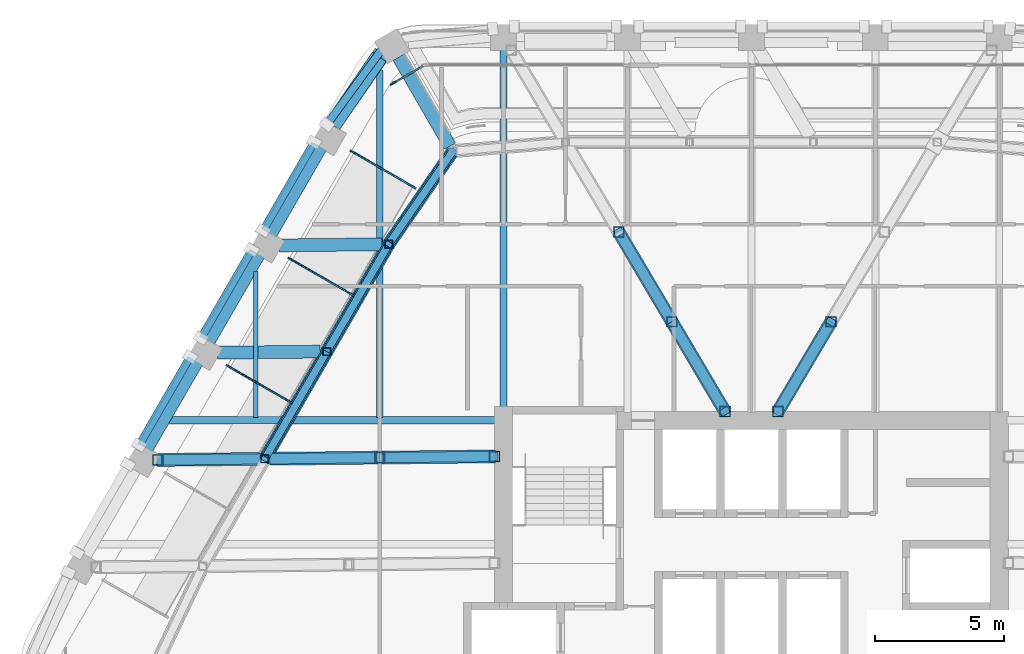
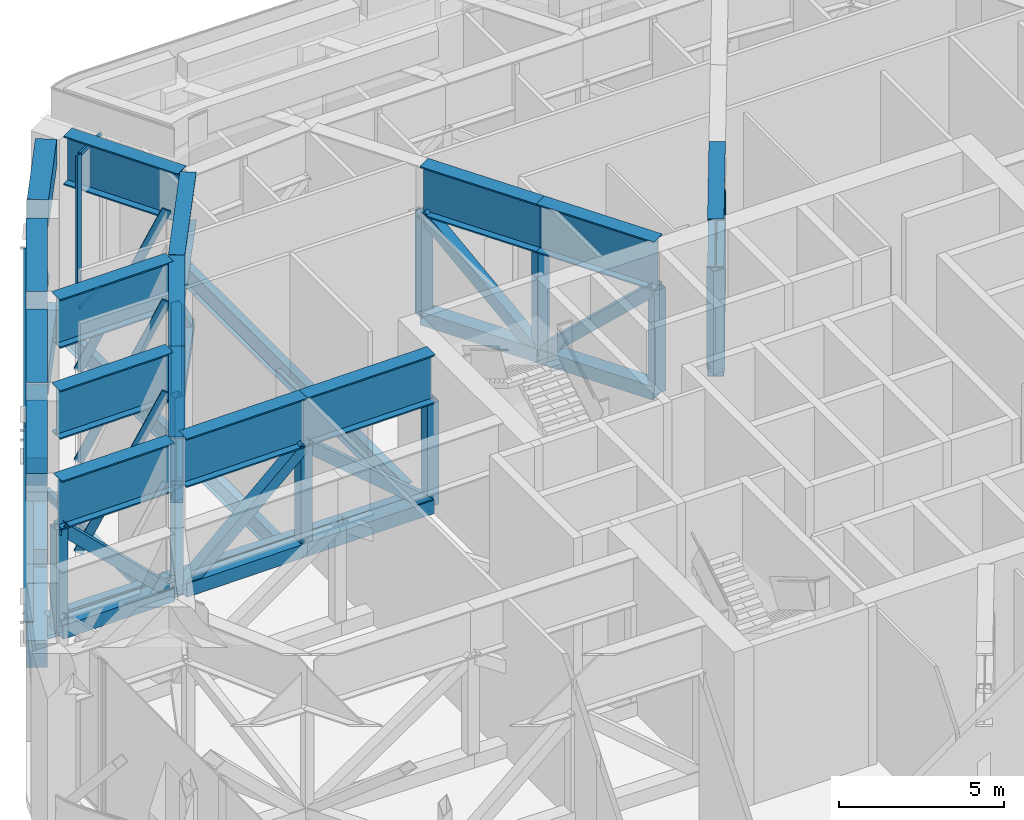
# One storey, part 8 of 24: 39 members, 24 beams, 2 elements without a shape of their own.
"""IFC4 building model written with IfcOpenShell, lengths in metres."""

from ifc_helpers import new_model, si_unit, direction, frame, origin, origin_2d, place, context, subcontext, project, spatial, rectangle, hollow_rectangle, i_section, extrude, material, material_profile, profile_set, type_object, element, aggregate, save


model = new_model("IFC4")

# Units and contexts
model_context = context("Model", 3, precision=1e-05, world=origin(), true_north=direction((0.0, 1.0)))
body_context = subcontext(model_context, "Body", "Model", "MODEL_VIEW")
ifc_project = project(units=[si_unit("LENGTHUNIT", "METRE"), si_unit("AREAUNIT", "SQUARE_METRE"), si_unit("VOLUMEUNIT", "CUBIC_METRE"), si_unit("PLANEANGLEUNIT", "RADIAN"), si_unit("MASSUNIT", "GRAM", prefix="KILO")], contexts=[model_context])

# Site, building, storey
site_placement = place(None, origin())
site = spatial("IfcSite", under=ifc_project, at=site_placement, CompositionType="ELEMENT")
building_placement = place(site_placement, origin())
building = spatial("IfcBuilding", under=site, at=building_placement, Name="Kolab Exchange Tower", CompositionType="ELEMENT")
storey_placement = place(building_placement, frame((0.0, 0.0, 216.800048828125)))
storey = spatial("IfcBuildingStorey", under=building, at=storey_placement, Name="L47", CompositionType="ELEMENT", Elevation=216.800048828125)

# Members
ifc_material_1 = material(Name="Steel S355", Category="steel")
ifc_material_profile_1 = material_profile(ifc_material_1, hollow_rectangle(XDim=0.300048828125, YDim=0.300048828125, WallThickness=0.01611328125, at=origin_2d()), Name="HSS300X300X16")
ifc_profile_set_1 = profile_set([ifc_material_profile_1], Name="Steel S355")
member_type_1 = type_object("IfcMemberType", Name="BELT TRUSS BRACE HSS300X300X16", PredefinedType="BRACE", material=ifc_profile_set_1)
for number, where, z_axis, x_axis, name in (
    (1, (-18.853515625, 8.11376953125, 4.050048828125), (0.392004841722, 0.679009810783, -0.620707564741), (-0.866037363387, 0.499979284789, 0.0), "mem/L47/ring/d-F6-03"),
    (2, (-16.45361328125, 12.270751953125, 0.25), (0.392004841722, 0.679009810783, 0.620707564741), (-0.866037363387, 0.499979284789, 0.0), "mem/L47/ring/d-F6-04"),
):
    element("IfcMember", number, at=place(storey_placement, frame(where, z_axis=z_axis, x_axis=x_axis)), inside=storey, type_object=member_type_1, Name=name, PredefinedType="BRACE", context=body_context, shape_type="SweptSolid", body=[
        extrude(hollow_rectangle(XDim=0.300048828125, YDim=0.300048828125, WallThickness=0.01611328125, at=origin_2d()), origin(), (0.0, 0.0, 1.0), 6.1220703125),
    ])
member_1_placement = place(storey_placement, frame((-14.0537109375, 16.427734375, 4.050048828125), z_axis=(0.428579877359, 0.622160593915, -0.655160655185), x_axis=(-0.823519747608, 0.56728760369, 0.0)))
element("IfcMember", 3, at=member_1_placement, inside=storey, type_object=member_type_1, Name="mem/L47/ring/d-F6-05", PredefinedType="BRACE", context=body_context, shape_type="SweptSolid", body=[
    extrude(hollow_rectangle(XDim=0.300048828125, YDim=0.300048828125, WallThickness=0.01611328125, at=origin_2d()), origin(), (0.0, 0.0, 1.0), 5.80029296875),
])
for number, where, z_axis, x_axis, name in (
    (4, (-23.71728515625, 8.650634765625, 0.39990234375), (0.337507590619, 0.584574708587, 0.737808265306), (-0.866023334807, 0.500003583557, 0.0), "mem/L47/fb/F6-03"),
    (5, (-21.3173828125, 12.8076171875, 4.699951171875), (0.337507590619, 0.584574708587, -0.737808265306), (-0.866023334807, 0.500003583557, 0.0), "mem/L47/fb/F6-04"),
    (6, (-18.917236328125, 16.96435546875, 0.39990234375), (0.337507590619, 0.584574708587, 0.737808265306), (-0.866023334807, 0.500003583557, 0.0), "mem/L47/fb/F6-05"),
):
    element("IfcMember", number, at=place(storey_placement, frame(where, z_axis=z_axis, x_axis=x_axis)), inside=storey, type_object=member_type_1, Name=name, PredefinedType="BRACE", context=body_context, shape_type="SweptSolid", body=[
        extrude(hollow_rectangle(XDim=0.300048828125, YDim=0.300048828125, WallThickness=0.01611328125, at=origin_2d()), origin(), (0.0, 0.0, 1.0), 5.828125),
    ])
member_2_placement = place(storey_placement, frame((-16.4404296875, 21.07763671875, 4.699951171875), z_axis=(0.377585306964, 0.515270277759, -0.769367192453), x_axis=(-0.806613643798, 0.591079038402, 0.0)))
element("IfcMember", 7, at=member_2_placement, inside=storey, type_object=member_type_1, Name="mem/L47/fb/F6-06", PredefinedType="BRACE", context=body_context, shape_type="SweptSolid", body=[
    extrude(hollow_rectangle(XDim=0.300048828125, YDim=0.300048828125, WallThickness=0.01611328125, at=origin_2d()), origin(), (0.0, 0.0, 1.0), 5.589111328125),
])
ifc_material_profile_2 = material_profile(ifc_material_1, hollow_rectangle(XDim=0.39990234375, YDim=0.39990234375, WallThickness=0.02001953125, at=origin_2d()), Name="HSS400X400X20")
ifc_profile_set_2 = profile_set([ifc_material_profile_2], Name="Steel S355")
member_type_2 = type_object("IfcMemberType", Name="BELT TRUSS CHORD HSS400X400X20", PredefinedType="CHORD", material=ifc_profile_set_2)
for number, where, z_axis, x_axis, name in (
    (8, (-18.853515625, 8.11376953125, 0.25), (0.499979284789, 0.866037363387, 0.0), (-0.866037363387, 0.499979284789, 0.0), "mem/L47/ring/c-F6-03"),
    (9, (-16.45361328125, 12.270751953125, 0.25), (0.499979284789, 0.866037363387, 0.0), (-0.866037363387, 0.499979284789, 0.0), "mem/L47/ring/c-F6-04"),
):
    element("IfcMember", number, at=place(storey_placement, frame(where, z_axis=z_axis, x_axis=x_axis)), inside=storey, type_object=member_type_2, Name=name, PredefinedType="CHORD", context=body_context, shape_type="SweptSolid", body=[
        extrude(hollow_rectangle(XDim=0.39990234375, YDim=0.39990234375, WallThickness=0.02001953125, at=origin_2d()), origin(), (0.0, 0.0, 1.0), 4.800048828125),
    ])
member_3_placement = place(storey_placement, frame((-14.0537109375, 16.427734375, 0.25), z_axis=(0.56728760369, 0.823519747608, 0.0), x_axis=(-0.823519747608, 0.56728760369, 0.0)))
element("IfcMember", 10, at=member_3_placement, inside=storey, type_object=member_type_2, Name="mem/L47/ring/c-F6-05", PredefinedType="CHORD", context=body_context, shape_type="SweptSolid", body=[
    extrude(hollow_rectangle(XDim=0.39990234375, YDim=0.39990234375, WallThickness=0.02001953125, at=origin_2d()), origin(), (0.0, 0.0, 1.0), 4.382080078125),
])

# Beams
ifc_material_profile_3 = material_profile(ifc_material_1, i_section(OverallWidth=0.5, OverallDepth=1.800048828125, WebThickness=0.031982421875, FlangeThickness=0.050048828125, at=origin_2d()), Name="PG1800X500")
ifc_profile_set_3 = profile_set([ifc_material_profile_3], Name="Steel S355")
beam_type_1 = type_object("IfcBeamType", Name="BELT TRUSS GIRDER PG1800X500", PredefinedType="BEAM", material=ifc_profile_set_3)
for number, where, z_axis, x_axis, name in (
    (11, (-18.853515625, 8.11376953125, 4.949951171875), (0.499979284789, 0.866037363387, 0.0), (-0.866037363387, 0.499979284789, 0.0), "beam/L47/bg/F6-run1"),
    (12, (-16.45361328125, 12.270751953125, 4.949951171875), (0.499979284789, 0.866037363387, 0.0), (-0.866037363387, 0.499979284789, 0.0), "beam/L47/bg/F6-run2"),
):
    element("IfcBeam", number, at=place(storey_placement, frame(where, z_axis=z_axis, x_axis=x_axis)), inside=storey, type_object=beam_type_1, Name=name, PredefinedType="BEAM", context=body_context, shape_type="SweptSolid", body=[
        extrude(i_section(OverallWidth=0.5, OverallDepth=1.800048828125, WebThickness=0.031982421875, FlangeThickness=0.050048828125, at=origin_2d()), origin(), (0.0, 0.0, 1.0), 4.800048828125),
    ])
beam_1_placement = place(storey_placement, frame((-14.0537109375, 16.427734375, 4.949951171875), z_axis=(0.56728760369, 0.823519747608, 0.0), x_axis=(-0.823519747608, 0.56728760369, 0.0)))
element("IfcBeam", 13, at=beam_1_placement, inside=storey, type_object=beam_type_1, Name="beam/L47/bg/F6-out", PredefinedType="BEAM", context=body_context, shape_type="SweptSolid", body=[
    extrude(i_section(OverallWidth=0.5, OverallDepth=1.800048828125, WebThickness=0.031982421875, FlangeThickness=0.050048828125, at=origin_2d()), origin(), (0.0, 0.0, 1.0), 4.382080078125),
])

# Members
ifc_material_profile_4 = material_profile(ifc_material_1, hollow_rectangle(XDim=0.300048828125, YDim=0.300048828125, WallThickness=0.01611328125, at=origin_2d()), Name="HSS300X300X16")
ifc_profile_set_4 = profile_set([ifc_material_profile_4], Name="Steel S355")
member_type_3 = type_object("IfcMemberType", Name="BELT TRUSS POST HSS300X300X16", PredefinedType="POST", material=ifc_profile_set_4)
for number, where, z_axis, x_axis, name in (
    (14, (-18.853515625, 8.11376953125, 0.25), (0.0, 0.0, 1.0), (1.0, 0.0, 0.0), "mem/L47/ring/p-F6-03"),
    (15, (-16.45361328125, 12.270751953125, 0.25), (0.0, 0.0, 1.0), (1.0, 0.0, 0.0), "mem/L47/ring/p-F6-04"),
    (16, (-14.0537109375, 16.427734375, 0.25), (0.0, 0.0, 1.0), (1.0, 0.0, 0.0), "mem/L47/ring/p-F6-05"),
):
    element("IfcMember", number, at=place(storey_placement, frame(where, z_axis=z_axis, x_axis=x_axis)), inside=storey, type_object=member_type_3, Name=name, PredefinedType="POST", context=body_context, shape_type="SweptSolid", body=[
        extrude(hollow_rectangle(XDim=0.300048828125, YDim=0.300048828125, WallThickness=0.01611328125, at=origin_2d()), origin(), (0.0, 0.0, 1.0), 3.800048828125),
    ])

# Curtain wall, members
ifc_material_2 = material(Name="Aluminium EN AW-6063 T6", Category="aluminium")
curtain_wall_type_1 = type_object("IfcCurtainWallType", Name="CANTED BAND CURTAIN WALL", PredefinedType="NOTDEFINED", material=ifc_material_2)
curtain_wall_1_placement = place(storey_placement, origin())
curtain_wall_1 = element("IfcCurtainWall", 17, at=curtain_wall_1_placement, inside=storey, type_object=curtain_wall_type_1, Name="band/L47/F6", PredefinedType="NOTDEFINED")
ifc_material_profile_5 = material_profile(ifc_material_2, rectangle(XDim=0.06005859375, YDim=0.300048828125, at=origin_2d()), Name="RECT 60X300")
ifc_profile_set_5 = profile_set([ifc_material_profile_5], Name="Aluminium EN AW-6063 T6")
member_type_4 = type_object("IfcMemberType", Name="CANTED BAND MULLION 60 X 300", PredefinedType="MULLION", material=ifc_profile_set_5)
member_4_placement = place(storey_placement, frame((-20.231689453125, 11.6806640625, -0.10009765625), z_axis=(0.355833859075, -0.205421357987, 0.911693111973), x_axis=(0.499964557259, 0.866045865693, 0.0)))
member_4 = element("IfcMember", 18, at=member_4_placement, type_object=member_type_4, Name="Band mullion", PredefinedType="MULLION", context=body_context, shape_type="SweptSolid", body=[
    extrude(rectangle(XDim=0.06005859375, YDim=0.300048828125, at=origin_2d()), origin(), (0.0, 0.0, 1.0), 6.515380859375),
])
member_5_placement = place(storey_placement, frame((-17.831787109375, 15.837646484375, -0.10009765625), z_axis=(0.355833859075, -0.205421357987, 0.911693111973), x_axis=(0.499964557259, 0.866045865693, 0.0)))
member_5 = element("IfcMember", 19, at=member_5_placement, type_object=member_type_4, Name="Band mullion", PredefinedType="MULLION", context=body_context, shape_type="SweptSolid", body=[
    extrude(rectangle(XDim=0.06005859375, YDim=0.300048828125, at=origin_2d()), origin(), (0.0, 0.0, 1.0), 6.515380859375),
])
member_6_placement = place(storey_placement, frame((-15.431640625, 19.99462890625, -0.10009765625), z_axis=(0.355833859075, -0.205421357987, 0.911693111973), x_axis=(0.499964557259, 0.866045865693, 0.0)))
member_6 = element("IfcMember", 20, at=member_6_placement, type_object=member_type_4, Name="Band mullion", PredefinedType="MULLION", context=body_context, shape_type="SweptSolid", body=[
    extrude(rectangle(XDim=0.06005859375, YDim=0.300048828125, at=origin_2d()), origin(), (0.0, 0.0, 1.0), 6.515380859375),
])
aggregate(curtain_wall_1, [member_4, member_5, member_6])

# Beams
ifc_material_profile_6 = material_profile(ifc_material_1, i_section(OverallWidth=0.1650390625, OverallDepth=0.31005859375, WebThickness=0.005859375, FlangeThickness=0.009765625, at=origin_2d()), Name="W310X39")
ifc_profile_set_6 = profile_set([ifc_material_profile_6], Name="Steel S355")
beam_type_2 = type_object("IfcBeamType", Name="FLOOR BEAM W310X39", PredefinedType="BEAM", material=ifc_profile_set_6)
beam_2_placement = place(storey_placement, frame((-19.199951171875, 9.7060546875, -0.455078125), z_axis=(0.0, 1.0, 0.0), x_axis=(-1.0, 0.0, 0.0)))
element("IfcBeam", 21, at=beam_2_placement, inside=storey, type_object=beam_type_2, Name="beam/L47/fr/004", PredefinedType="BEAM", context=body_context, shape_type="SweptSolid", body=[
    extrude(i_section(OverallWidth=0.1650390625, OverallDepth=0.31005859375, WebThickness=0.005859375, FlangeThickness=0.009765625, at=origin_2d()), origin(), (0.0, 0.0, 1.0), 5.66162109375),
])
ifc_material_profile_7 = material_profile(ifc_material_1, i_section(OverallWidth=0.25390625, OverallDepth=0.68408203125, WebThickness=0.012451171875, FlangeThickness=0.018798828125, at=origin_2d()), Name="W690X140")
ifc_profile_set_7 = profile_set([ifc_material_profile_7], Name="Steel S355")
beam_type_3 = type_object("IfcBeamType", Name="FLOOR BEAM W690X140", PredefinedType="BEAM", material=ifc_profile_set_7)
beam_3_placement = place(storey_placement, frame((-14.39990234375, 9.7060546875, -0.64208984375), z_axis=(0.0, 1.0, 0.0), x_axis=(-1.0, 0.0, 0.0)))
element("IfcBeam", 22, at=beam_3_placement, inside=storey, type_object=beam_type_3, Name="beam/L47/fr/006", PredefinedType="BEAM", context=body_context, shape_type="SweptSolid", body=[
    extrude(i_section(OverallWidth=0.25390625, OverallDepth=0.68408203125, WebThickness=0.012451171875, FlangeThickness=0.018798828125, at=origin_2d()), origin(), (0.0, 0.0, 1.0), 13.44970703125),
])
ifc_material_profile_8 = material_profile(ifc_material_1, i_section(OverallWidth=0.26708984375, OverallDepth=0.761962890625, WebThickness=0.014404296875, FlangeThickness=0.021484375, at=origin_2d()), Name="W760X173")
ifc_profile_set_8 = profile_set([ifc_material_profile_8], Name="Steel S355")
beam_type_4 = type_object("IfcBeamType", Name="FLOOR BEAM W760X173", PredefinedType="BEAM", material=ifc_profile_set_8)
beam_4_placement = place(storey_placement, frame((-9.60009765625, 10.110107421875, -0.68115234375), z_axis=(0.0, 1.0, 0.0), x_axis=(-1.0, 0.0, 0.0)))
element("IfcBeam", 23, at=beam_4_placement, inside=storey, type_object=beam_type_4, Name="beam/L47/fr/008", PredefinedType="BEAM", context=body_context, shape_type="SweptSolid", body=[
    extrude(i_section(OverallWidth=0.26708984375, OverallDepth=0.761962890625, WebThickness=0.014404296875, FlangeThickness=0.021484375, at=origin_2d()), origin(), (0.0, 0.0, 1.0), 13.871337890625),
])
ifc_material_profile_9 = material_profile(ifc_material_1, i_section(OverallWidth=0.2919921875, OverallDepth=0.840087890625, WebThickness=0.0146484375, FlangeThickness=0.021728515625, at=origin_2d()), Name="W840X193")
ifc_profile_set_9 = profile_set([ifc_material_profile_9], Name="Steel S355")
beam_type_5 = type_object("IfcBeamType", Name="FLOOR GIRDER W840X193", PredefinedType="BEAM", material=ifc_profile_set_9)
beam_5_placement = place(storey_placement, frame((-22.546875, 9.60009765625, -0.719970703125), z_axis=(1.0, 0.0, 0.0), x_axis=(0.0, 1.0, 0.0)))
element("IfcBeam", 24, at=beam_5_placement, inside=storey, type_object=beam_type_5, Name="beam/L47/gd/001", PredefinedType="BEAM", context=body_context, shape_type="SweptSolid", body=[
    extrude(i_section(OverallWidth=0.2919921875, OverallDepth=0.840087890625, WebThickness=0.0146484375, FlangeThickness=0.021728515625, at=origin_2d()), origin(), (0.0, 0.0, 1.0), 12.636962890625),
])

# Members
ifc_material_profile_10 = material_profile(ifc_material_1, hollow_rectangle(XDim=0.39990234375, YDim=0.39990234375, WallThickness=0.02001953125, at=origin_2d()), Name="HSS400X400X20")
ifc_profile_set_10 = profile_set([ifc_material_profile_10], Name="Steel S355")
member_type_5 = type_object("IfcMemberType", Name="OUTRIGGER BRACE HSS400X400X20", PredefinedType="BRACE", material=ifc_profile_set_10)
for number, where, z_axis, x_axis, name in (
    (25, (-1.027099609375, 9.949951171875, 4.050048828125), (-0.370922315511, 0.627020672649, -0.685026796503), (-0.860679878671, -0.509146488204, 0.0), "mem/L47/out/00/d00"),
    (26, (-3.084716796875, 13.42822265625, 0.25), (-0.370922315511, 0.627020672649, 0.685026796503), (-0.860679878671, -0.509146488204, 0.0), "mem/L47/out/00/d01"),
    (27, (1.027099609375, 9.949951171875, 0.25), (0.370922315511, 0.627020672649, 0.685026796503), (-0.860679878671, 0.509146488204, 0.0), "mem/L47/out/01/d00"),
):
    element("IfcMember", number, at=place(storey_placement, frame(where, z_axis=z_axis, x_axis=x_axis)), inside=storey, type_object=member_type_5, Name=name, PredefinedType="BRACE", context=body_context, shape_type="SweptSolid", body=[
        extrude(hollow_rectangle(XDim=0.39990234375, YDim=0.39990234375, WallThickness=0.02001953125, at=origin_2d()), origin(), (0.0, 0.0, 1.0), 5.54736328125),
    ])
member_7_placement = place(storey_placement, frame((-9.949951171875, 8.208251953125, 0.25), z_axis=(-0.760569999289, -0.008049904572, 0.64920603449), x_axis=(0.010583448905, -0.999943993736, 0.0)))
element("IfcMember", 28, at=member_7_placement, inside=storey, type_object=member_type_5, Name="mem/L47/out/11/d00", PredefinedType="BRACE", context=body_context, shape_type="SweptSolid", body=[
    extrude(hollow_rectangle(XDim=0.39990234375, YDim=0.39990234375, WallThickness=0.02001953125, at=origin_2d()), origin(), (0.0, 0.0, 1.0), 5.853271484375),
])
member_8_placement = place(storey_placement, frame((-14.40185546875, 8.1611328125, 4.050048828125), z_axis=(-0.744795297784, -0.007887782594, -0.667246391736), x_axis=(0.01058994372, -0.999943924974, 0.0)))
element("IfcMember", 29, at=member_8_placement, inside=storey, type_object=member_type_5, Name="mem/L47/out/11/d01", PredefinedType="BRACE", context=body_context, shape_type="SweptSolid", body=[
    extrude(hollow_rectangle(XDim=0.39990234375, YDim=0.39990234375, WallThickness=0.02001953125, at=origin_2d()), origin(), (0.0, 0.0, 1.0), 5.695068359375),
])
member_9_placement = place(storey_placement, frame((-19.063720703125, 8.111572265625, 0.25), z_axis=(-0.718195745705, -0.007599481935, 0.695799625414), x_axis=(0.010580759602, -0.999944022196, 0.0)))
element("IfcMember", 30, at=member_9_placement, inside=storey, type_object=member_type_5, Name="mem/L47/out/11/d02", PredefinedType="BRACE", context=body_context, shape_type="SweptSolid", body=[
    extrude(hollow_rectangle(XDim=0.39990234375, YDim=0.39990234375, WallThickness=0.02001953125, at=origin_2d()), origin(), (0.0, 0.0, 1.0), 5.46142578125),
])
ifc_material_profile_11 = material_profile(ifc_material_1, hollow_rectangle(XDim=0.5, YDim=0.5, WallThickness=0.02490234375, at=origin_2d()), Name="HSS500X500X25")
ifc_profile_set_11 = profile_set([ifc_material_profile_11], Name="Steel S355")
member_type_6 = type_object("IfcMemberType", Name="OUTRIGGER CHORD HSS500X500X25", PredefinedType="CHORD", material=ifc_profile_set_11)
for number, where, z_axis, x_axis, name in (
    (31, (-1.027099609375, 9.949951171875, 0.25), (-0.509146488204, 0.860679878671, 0.0), (-0.860679878671, -0.509146488204, 0.0), "mem/L47/out/00/c00"),
    (32, (-3.084716796875, 13.42822265625, 0.25), (-0.509146488204, 0.860679878671, 0.0), (-0.860679878671, -0.509146488204, 0.0), "mem/L47/out/00/c01"),
    (33, (1.027099609375, 9.949951171875, 0.25), (0.509146488204, 0.860679878671, 0.0), (-0.860679878671, 0.509146488204, 0.0), "mem/L47/out/01/c00"),
):
    element("IfcMember", number, at=place(storey_placement, frame(where, z_axis=z_axis, x_axis=x_axis)), inside=storey, type_object=member_type_6, Name=name, PredefinedType="CHORD", context=body_context, shape_type="SweptSolid", body=[
        extrude(hollow_rectangle(XDim=0.5, YDim=0.5, WallThickness=0.02490234375, at=origin_2d()), origin(), (0.0, 0.0, 1.0), 4.041259765625),
    ])
member_10_placement = place(storey_placement, frame((-9.949951171875, 8.208251953125, 0.25), z_axis=(-0.999943993736, -0.010583448905, 0.0), x_axis=(0.010583448905, -0.999943993736, 0.0)))
element("IfcMember", 34, at=member_10_placement, inside=storey, type_object=member_type_6, Name="mem/L47/out/11/c00", PredefinedType="CHORD", context=body_context, shape_type="SweptSolid", body=[
    extrude(hollow_rectangle(XDim=0.5, YDim=0.5, WallThickness=0.02490234375, at=origin_2d()), origin(), (0.0, 0.0, 1.0), 4.4521484375),
])
member_11_placement = place(storey_placement, frame((-14.40185546875, 8.1611328125, 0.25), z_axis=(-0.999943924974, -0.01058994372, 0.0), x_axis=(0.01058994372, -0.999943924974, 0.0)))
element("IfcMember", 35, at=member_11_placement, inside=storey, type_object=member_type_6, Name="mem/L47/out/11/c01", PredefinedType="CHORD", context=body_context, shape_type="SweptSolid", body=[
    extrude(hollow_rectangle(XDim=0.5, YDim=0.5, WallThickness=0.02490234375, at=origin_2d()), origin(), (0.0, 0.0, 1.0), 4.241943359375),
])
member_12_placement = place(storey_placement, frame((-19.063720703125, 8.111572265625, 0.25), z_axis=(-0.999944022196, -0.010580759602, 0.0), x_axis=(0.010580759602, -0.999944022196, 0.0)))
element("IfcMember", 36, at=member_12_placement, inside=storey, type_object=member_type_6, Name="mem/L47/out/11/c02", PredefinedType="CHORD", context=body_context, shape_type="SweptSolid", body=[
    extrude(hollow_rectangle(XDim=0.5, YDim=0.5, WallThickness=0.02490234375, at=origin_2d()), origin(), (0.0, 0.0, 1.0), 3.922607421875),
])

# Beams
ifc_material_profile_12 = material_profile(ifc_material_1, i_section(OverallWidth=0.5, OverallDepth=1.800048828125, WebThickness=0.031982421875, FlangeThickness=0.050048828125, at=origin_2d()), Name="PG1800X500")
ifc_profile_set_12 = profile_set([ifc_material_profile_12], Name="Steel S355")
beam_type_6 = type_object("IfcBeamType", Name="OUTRIGGER GIRDER PG1800X500", PredefinedType="BEAM", material=ifc_profile_set_12)
beam_6_placement = place(storey_placement, frame((-1.006591796875, 9.91552734375, 4.949951171875), z_axis=(-0.509172613949, 0.860664423108, 0.0), x_axis=(-0.860664423108, -0.509172613949, 0.0)))
element("IfcBeam", 37, at=beam_6_placement, inside=storey, type_object=beam_type_6, Name="beam/L47/og/00-00", PredefinedType="BEAM", context=body_context, shape_type="SweptSolid", body=[
    extrude(i_section(OverallWidth=0.5, OverallDepth=1.800048828125, WebThickness=0.031982421875, FlangeThickness=0.050048828125, at=origin_2d()), origin(), (0.0, 0.0, 1.0), 4.081298828125),
])
beam_7_placement = place(storey_placement, frame((-3.084716796875, 13.42822265625, 4.949951171875), z_axis=(-0.509146488204, 0.860679878671, 0.0), x_axis=(-0.860679878671, -0.509146488204, 0.0)))
element("IfcBeam", 38, at=beam_7_placement, inside=storey, type_object=beam_type_6, Name="beam/L47/og/00-01", PredefinedType="BEAM", context=body_context, shape_type="SweptSolid", body=[
    extrude(i_section(OverallWidth=0.5, OverallDepth=1.800048828125, WebThickness=0.031982421875, FlangeThickness=0.050048828125, at=origin_2d()), origin(), (0.0, 0.0, 1.0), 4.041259765625),
])
beam_8_placement = place(storey_placement, frame((1.006591796875, 9.91552734375, 4.949951171875), z_axis=(0.509172613949, 0.860664423108, 0.0), x_axis=(-0.860664423108, 0.509172613949, 0.0)))
element("IfcBeam", 39, at=beam_8_placement, inside=storey, type_object=beam_type_6, Name="beam/L47/og/01-00", PredefinedType="BEAM", context=body_context, shape_type="SweptSolid", body=[
    extrude(i_section(OverallWidth=0.5, OverallDepth=1.800048828125, WebThickness=0.031982421875, FlangeThickness=0.050048828125, at=origin_2d()), origin(), (0.0, 0.0, 1.0), 4.081298828125),
])
beam_9_placement = place(storey_placement, frame((-9.909912109375, 8.208740234375, 4.949951171875), z_axis=(-0.999943841668, -0.010597806898, 0.0), x_axis=(0.010597806898, -0.999943841668, 0.0)))
element("IfcBeam", 40, at=beam_9_placement, inside=storey, type_object=beam_type_6, Name="beam/L47/og/11-00", PredefinedType="BEAM", context=body_context, shape_type="SweptSolid", body=[
    extrude(i_section(OverallWidth=0.5, OverallDepth=1.800048828125, WebThickness=0.031982421875, FlangeThickness=0.050048828125, at=origin_2d()), origin(), (0.0, 0.0, 1.0), 4.4921875),
])
beam_10_placement = place(storey_placement, frame((-14.40185546875, 8.1611328125, 4.949951171875), z_axis=(-0.999943924974, -0.01058994372, 0.0), x_axis=(0.01058994372, -0.999943924974, 0.0)))
element("IfcBeam", 41, at=beam_10_placement, inside=storey, type_object=beam_type_6, Name="beam/L47/og/11-01", PredefinedType="BEAM", context=body_context, shape_type="SweptSolid", body=[
    extrude(i_section(OverallWidth=0.5, OverallDepth=1.800048828125, WebThickness=0.031982421875, FlangeThickness=0.050048828125, at=origin_2d()), origin(), (0.0, 0.0, 1.0), 4.241943359375),
])
beam_11_placement = place(storey_placement, frame((-19.063720703125, 8.111572265625, 4.949951171875), z_axis=(-0.999943849545, -0.010597063593, 0.0), x_axis=(0.010597063593, -0.999943849545, 0.0)))
element("IfcBeam", 42, at=beam_11_placement, inside=storey, type_object=beam_type_6, Name="beam/L47/og/11-02", PredefinedType="BEAM", context=body_context, shape_type="SweptSolid", body=[
    extrude(i_section(OverallWidth=0.5, OverallDepth=1.800048828125, WebThickness=0.031982421875, FlangeThickness=0.050048828125, at=origin_2d()), origin(), (0.0, 0.0, 1.0), 3.962646484375),
])

# Members
ifc_material_profile_13 = material_profile(ifc_material_1, hollow_rectangle(XDim=0.39990234375, YDim=0.39990234375, WallThickness=0.02001953125, at=origin_2d()), Name="HSS400X400X20")
ifc_profile_set_13 = profile_set([ifc_material_profile_13], Name="Steel S355")
member_type_7 = type_object("IfcMemberType", Name="OUTRIGGER POST HSS400X400X20", PredefinedType="POST", material=ifc_profile_set_13)
for number, where, z_axis, x_axis, name in (
    (43, (-1.027099609375, 9.949951171875, 0.25), (0.0, 0.0, 1.0), (1.0, 0.0, 0.0), "mem/L47/out/00/p00"),
    (44, (-3.084716796875, 13.42822265625, 0.25), (0.0, 0.0, 1.0), (1.0, 0.0, 0.0), "mem/L47/out/00/p01"),
    (45, (-5.142333984375, 16.906494140625, 0.25), (0.0, 0.0, 1.0), (1.0, 0.0, 0.0), "mem/L47/out/00/p02"),
    (46, (1.027099609375, 9.949951171875, 0.25), (0.0, 0.0, 1.0), (1.0, 0.0, 0.0), "mem/L47/out/01/p00"),
    (47, (3.084716796875, 13.42822265625, 0.25), (0.0, 0.0, 1.0), (1.0, 0.0, 0.0), "mem/L47/out/01/p01"),
    (48, (-9.949951171875, 8.208251953125, 0.25), (0.0, 0.0, 1.0), (1.0, 0.0, 0.0), "mem/L47/out/11/p00"),
    (49, (-14.40185546875, 8.1611328125, 0.25), (0.0, 0.0, 1.0), (1.0, 0.0, 0.0), "mem/L47/out/11/p01"),
    (50, (-22.986083984375, 8.070068359375, 0.25), (0.0, 0.0, 1.0), (1.0, 0.0, 0.0), "mem/L47/out/11/p03"),
):
    element("IfcMember", number, at=place(storey_placement, frame(where, z_axis=z_axis, x_axis=x_axis)), inside=storey, type_object=member_type_7, Name=name, PredefinedType="POST", context=body_context, shape_type="SweptSolid", body=[
        extrude(hollow_rectangle(XDim=0.39990234375, YDim=0.39990234375, WallThickness=0.02001953125, at=origin_2d()), origin(), (0.0, 0.0, 1.0), 3.800048828125),
    ])

# Beams
ifc_material_3 = material(Name="Concrete C60/75", Category="concrete")
ifc_material_profile_14 = material_profile(ifc_material_3, rectangle(XDim=0.64990234375, YDim=1.0, at=origin_2d()), Name="RC650X1000")
ifc_profile_set_14 = profile_set([ifc_material_profile_14], Name="Concrete C60/75")
beam_type_7 = type_object("IfcBeamType", Name="SPANDREL BEAM 650X1000 C60/75", PredefinedType="BEAM", material=ifc_profile_set_14)
beam_12_placement = place(storey_placement, frame((-23.488525390625, 8.5498046875, -0.800048828125), z_axis=(0.499996613652, 0.866027358884, 0.0), x_axis=(-0.866027358884, 0.499996613652, 0.0)))
element("IfcBeam", 51, at=beam_12_placement, inside=storey, type_object=beam_type_7, Name="beam/L47/sp/F6-03", PredefinedType="BEAM", context=body_context, shape_type="SweptSolid", body=[
    extrude(rectangle(XDim=0.64990234375, YDim=1.0, at=origin_2d()), origin(), (0.0, 0.0, 1.0), 3.8798828125),
])
beam_13_placement = place(storey_placement, frame((-21.088623046875, 12.70654296875, -0.800048828125), z_axis=(0.50001655835, 0.866015843605, 0.0), x_axis=(-0.866015843605, 0.50001655835, 0.0)))
element("IfcBeam", 52, at=beam_13_placement, inside=storey, type_object=beam_type_7, Name="beam/L47/sp/F6-04", PredefinedType="BEAM", context=body_context, shape_type="SweptSolid", body=[
    extrude(rectangle(XDim=0.64990234375, YDim=1.0, at=origin_2d()), origin(), (0.0, 0.0, 1.0), 3.880126953125),
])
beam_14_placement = place(storey_placement, frame((-18.6884765625, 16.863525390625, -0.800048828125), z_axis=(0.499996613652, 0.866027358884, 0.0), x_axis=(-0.866027358884, 0.499996613652, 0.0)))
element("IfcBeam", 53, at=beam_14_placement, inside=storey, type_object=beam_type_7, Name="beam/L47/sp/F6-05", PredefinedType="BEAM", context=body_context, shape_type="SweptSolid", body=[
    extrude(rectangle(XDim=0.64990234375, YDim=1.0, at=origin_2d()), origin(), (0.0, 0.0, 1.0), 3.8798828125),
])
beam_15_placement = place(storey_placement, frame((-16.256103515625, 21.001953125, -0.800048828125), z_axis=(0.568572281073, 0.822633309073, 0.0), x_axis=(-0.822633309073, 0.568572281073, 0.0)))
element("IfcBeam", 54, at=beam_15_placement, inside=storey, type_object=beam_type_7, Name="beam/L47/sp/F6-06", PredefinedType="BEAM", context=body_context, shape_type="SweptSolid", body=[
    extrude(rectangle(XDim=0.64990234375, YDim=1.0, at=origin_2d()), origin(), (0.0, 0.0, 1.0), 3.445068359375),
])
beam_16_placement = place(storey_placement, frame((-23.488525390625, 8.5498046875, 5.349853515625), z_axis=(0.499996613652, 0.866027358884, 0.0), x_axis=(-0.866027358884, 0.499996613652, 0.0)))
element("IfcBeam", 55, at=beam_16_placement, inside=storey, type_object=beam_type_7, Name="beam/L47/cp/F6-03", PredefinedType="BEAM", context=body_context, shape_type="SweptSolid", body=[
    extrude(rectangle(XDim=0.64990234375, YDim=1.0, at=origin_2d()), origin(), (0.0, 0.0, 1.0), 3.8798828125),
])
beam_17_placement = place(storey_placement, frame((-21.08837890625, 12.70654296875, 5.349853515625), z_axis=(0.499969367985, 0.866043088465, 0.0), x_axis=(-0.866043088465, 0.499969367985, 0.0)))
element("IfcBeam", 56, at=beam_17_placement, inside=storey, type_object=beam_type_7, Name="beam/L47/cp/F6-04", PredefinedType="BEAM", context=body_context, shape_type="SweptSolid", body=[
    extrude(rectangle(XDim=0.64990234375, YDim=1.0, at=origin_2d()), origin(), (0.0, 0.0, 1.0), 3.880126953125),
])
beam_18_placement = place(storey_placement, frame((-18.6884765625, 16.863525390625, 5.349853515625), z_axis=(0.499996613652, 0.866027358884, 0.0), x_axis=(-0.866027358884, 0.499996613652, 0.0)))
element("IfcBeam", 57, at=beam_18_placement, inside=storey, type_object=beam_type_7, Name="beam/L47/cp/F6-05", PredefinedType="BEAM", context=body_context, shape_type="SweptSolid", body=[
    extrude(rectangle(XDim=0.64990234375, YDim=1.0, at=origin_2d()), origin(), (0.0, 0.0, 1.0), 3.8798828125),
])
beam_19_placement = place(storey_placement, frame((-16.230224609375, 21.043701171875, 5.349853515625), z_axis=(0.565475094709, 0.824765371038, 0.0), x_axis=(-0.824765371038, 0.565475094709, 0.0)))
element("IfcBeam", 58, at=beam_19_placement, inside=storey, type_object=beam_type_7, Name="beam/L47/cp/F6-06", PredefinedType="BEAM", context=body_context, shape_type="SweptSolid", body=[
    extrude(rectangle(XDim=0.64990234375, YDim=1.0, at=origin_2d()), origin(), (0.0, 0.0, 1.0), 3.20703125),
])
ifc_material_profile_15 = material_profile(ifc_material_1, i_section(OverallWidth=0.5, OverallDepth=1.800048828125, WebThickness=0.031982421875, FlangeThickness=0.050048828125, at=origin_2d()), Name="PG1800X500")
ifc_profile_set_15 = profile_set([ifc_material_profile_15], Name="Steel S355")
beam_type_8 = type_object("IfcBeamType", Name="TRANSFER GIRDER PG1800X500", PredefinedType="BEAM", material=ifc_profile_set_15)
beam_20_placement = place(storey_placement, frame((-11.677978515625, 20.226806640625, 4.949951171875), z_axis=(-0.499998569178, 0.866026229868, 0.0), x_axis=(-0.866026229868, -0.499998569178, 0.0)))
element("IfcBeam", 59, at=beam_20_placement, inside=storey, type_object=beam_type_8, Name="beam/L47/tg/F1-01", PredefinedType="BEAM", context=body_context, shape_type="SweptSolid", body=[
    extrude(i_section(OverallWidth=0.5, OverallDepth=1.800048828125, WebThickness=0.031982421875, FlangeThickness=0.050048828125, at=origin_2d()), origin(), (0.0, 0.0, 1.0), 3.97998046875),
])
for number, where, z_axis, x_axis, name in (
    (60, (-16.70361328125, 12.26806640625, 4.949951171875), (-0.999943791991, -0.010602493014, 0.0), (0.010602493014, -0.999943791991, 0.0), "beam/L47/tg/F6-04"),
    (61, (-14.3037109375, 16.425048828125, 4.949951171875), (-0.999943791991, -0.010602493014, 0.0), (0.010602493014, -0.999943791991, 0.0), "beam/L47/tg/F6-05"),
):
    element("IfcBeam", number, at=place(storey_placement, frame(where, z_axis=z_axis, x_axis=x_axis)), inside=storey, type_object=beam_type_8, Name=name, PredefinedType="BEAM", context=body_context, shape_type="SweptSolid", body=[
        extrude(i_section(OverallWidth=0.5, OverallDepth=1.800048828125, WebThickness=0.031982421875, FlangeThickness=0.050048828125, at=origin_2d()), origin(), (0.0, 0.0, 1.0), 3.983642578125),
    ])

# Curtain wall, members
curtain_wall_type_2 = type_object("IfcCurtainWallType", Name="UNITISED UPPER MID ZONE DOUBLE HEIGHT BELT CURTAIN WALL", PredefinedType="NOTDEFINED", material=ifc_material_2)
curtain_wall_2_placement = place(storey_placement, origin())
curtain_wall_2 = element("IfcCurtainWall", 62, at=curtain_wall_2_placement, inside=storey, type_object=curtain_wall_type_2, Name="cw/L47/F6F1-corner", PredefinedType="NOTDEFINED")
ifc_material_profile_16 = material_profile(ifc_material_2, rectangle(XDim=0.06005859375, YDim=0.260009765625, at=origin_2d()), Name="RECT 60X260")
ifc_profile_set_16 = profile_set([ifc_material_profile_16], Name="Aluminium EN AW-6063 T6")
member_type_8 = type_object("IfcMemberType", Name="UNITISED UPPER MID ZONE DOUBLE HEIGHT BELT MULLION 60 X 260", PredefinedType="MULLION", material=ifc_profile_set_16)
member_13_placement = place(storey_placement, frame((-13.871826171875, 22.66650390625, 0.0), z_axis=(0.0, 0.0, 1.0), x_axis=(-0.50000002237, 0.866025390869, 0.0)))
member_13 = element("IfcMember", 63, at=member_13_placement, type_object=member_type_8, Name="CW11 mullion 1", PredefinedType="MULLION", context=body_context, shape_type="SweptSolid", body=[
    extrude(rectangle(XDim=0.06005859375, YDim=0.260009765625, at=origin_2d()), origin(), (0.0, 0.0, 1.0), 5.699951171875),
])
ifc_material_profile_17 = material_profile(ifc_material_2, rectangle(XDim=0.06005859375, YDim=0.139892578125, at=origin_2d()), Name="RECT 60X140")
ifc_profile_set_17 = profile_set([ifc_material_profile_17], Name="Aluminium EN AW-6063 T6")
member_type_9 = type_object("IfcMemberType", Name="UNITISED UPPER MID ZONE DOUBLE HEIGHT BELT TRANSOM 60 X 140", PredefinedType="USERDEFINED", material=ifc_profile_set_17)
member_14_placement = place(storey_placement, frame((-13.845703125, 22.681640625, 0.030029296875), z_axis=(0.86603858612, 0.49997716683, 0.0), x_axis=(-0.49997716683, 0.86603858612, 0.0)))
member_14 = element("IfcMember", 64, at=member_14_placement, type_object=member_type_9, Name="CW11 transom 1.1", ObjectType="TRANSOM", PredefinedType="USERDEFINED", context=body_context, shape_type="SweptSolid", body=[
    extrude(rectangle(XDim=0.06005859375, YDim=0.139892578125, at=origin_2d()), origin(), (0.0, 0.0, 1.0), 1.2998046875),
])
member_15_placement = place(storey_placement, frame((-13.845703125, 22.681640625, 5.669921875), z_axis=(0.86603858612, 0.49997716683, 0.0), x_axis=(-0.49997716683, 0.86603858612, 0.0)))
member_15 = element("IfcMember", 65, at=member_15_placement, type_object=member_type_9, Name="CW11 transom 1.2", ObjectType="TRANSOM", PredefinedType="USERDEFINED", context=body_context, shape_type="SweptSolid", body=[
    extrude(rectangle(XDim=0.06005859375, YDim=0.139892578125, at=origin_2d()), origin(), (0.0, 0.0, 1.0), 1.2998046875),
])
aggregate(curtain_wall_2, [member_13, member_14, member_15])

save(model, "model.ifc")
